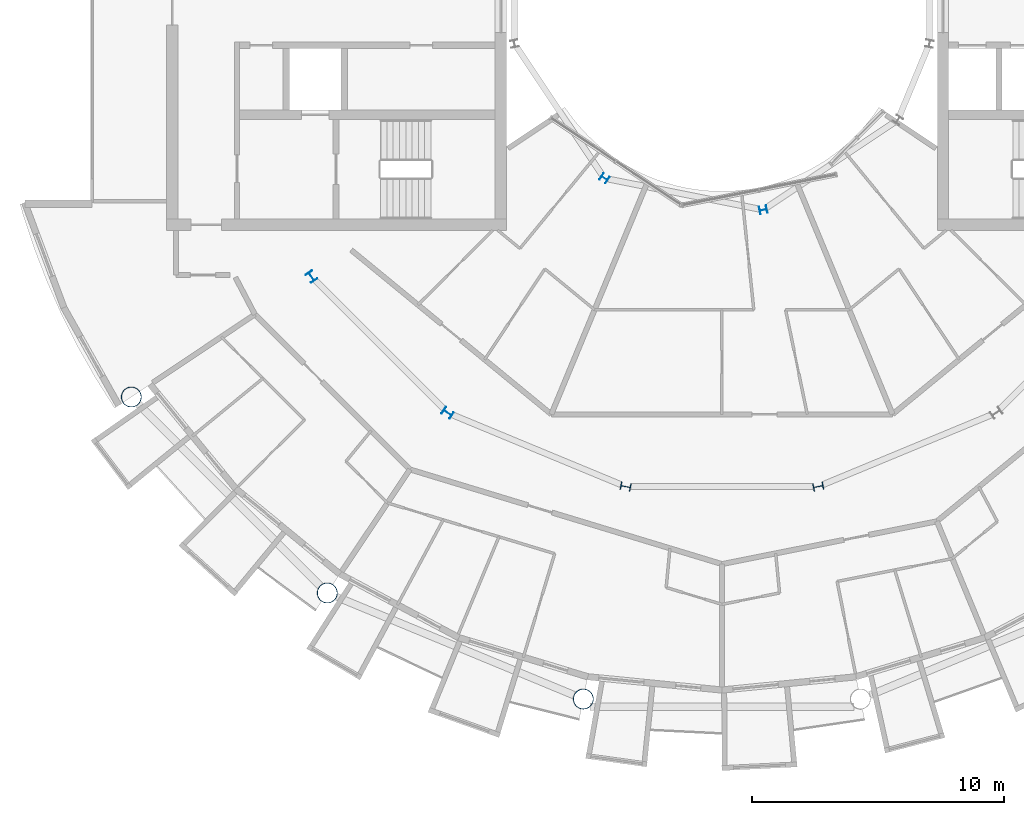
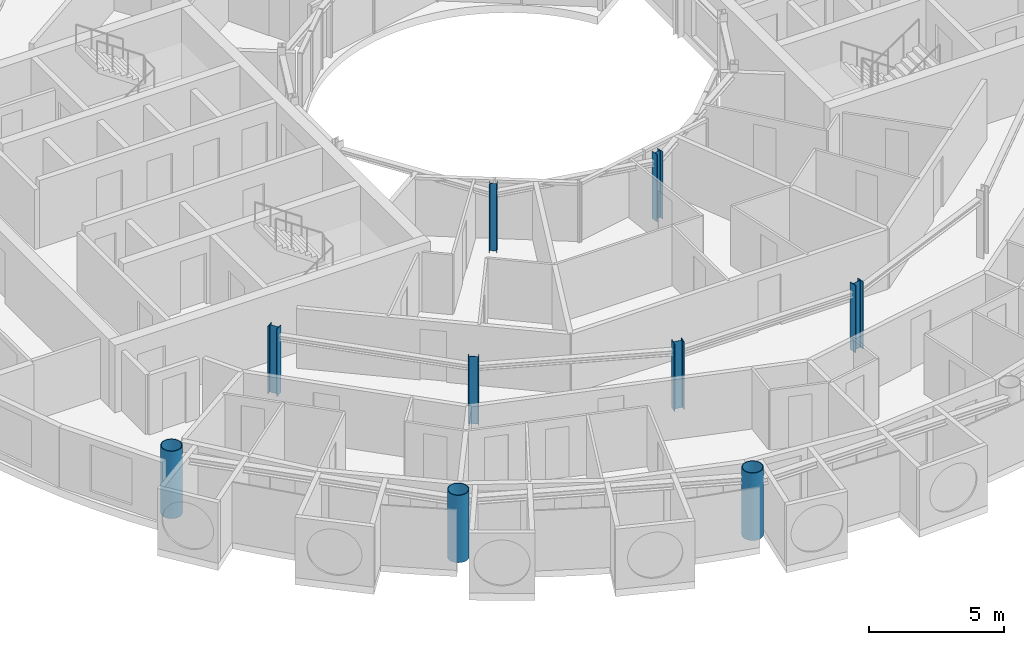
# One storey, part 1 of 27: 9 columns.
"""IFC4 building model written with IfcOpenShell, lengths in metres."""

from ifc_helpers import new_model, si_unit, direction, frame, origin, origin_2d, place, context, subcontext, project, spatial, hollow_circle, i_section, extrude, material, material_profile, profile_set, type_object, element, save


model = new_model("IFC4")

# Units and contexts
model_context = context("Model", 3, precision=1e-05, world=origin(), true_north=direction((0.0, 1.0)))
body_context = subcontext(model_context, "Body", "Model", "MODEL_VIEW")
ifc_project = project(units=[si_unit("LENGTHUNIT", "METRE"), si_unit("AREAUNIT", "SQUARE_METRE"), si_unit("VOLUMEUNIT", "CUBIC_METRE"), si_unit("PLANEANGLEUNIT", "RADIAN"), si_unit("MASSUNIT", "GRAM", prefix="KILO")], contexts=[model_context])

# Site, building, storey
site_placement = place(None, origin())
site = spatial("IfcSite", under=ifc_project, at=site_placement, CompositionType="ELEMENT")
building_placement = place(site_placement, origin())
building = spatial("IfcBuilding", under=site, at=building_placement, Name="Maasbend Ring Residences", CompositionType="ELEMENT")
storey_placement = place(building_placement, frame((0.0, 0.0, 199.35009765625)))
storey = spatial("IfcBuildingStorey", under=building, at=storey_placement, Name="L57", CompositionType="ELEMENT", Elevation=199.35009765625)

# Columns
ifc_material_1 = material(Name="Composite concrete-filled steel tube S460NH / C80/95", Category="concrete")
ifc_material_profile_1 = material_profile(ifc_material_1, hollow_circle(Radius=0.406494140625, WallThickness=0.030029296875, at=origin_2d()), Name="Composite tube column CHS 813x30")
ifc_profile_set_1 = profile_set([ifc_material_profile_1], Name="Composite concrete-filled steel tube S460NH / C80/95")
column_type_1 = type_object("IfcColumnType", Name="Composite tube column CHS 813x30", PredefinedType="COLUMN", material=ifc_profile_set_1)
for number, where, z_axis, x_axis, name in (
    (1, (-23.447509765625, -15.6669921875, 0.0), (0.0, 0.0, 1.0), (1.0, 0.0, 0.0), "Outer column R10"),
    (2, (-15.6669921875, -23.447509765625, 0.0), (0.0, 0.0, 1.0), (1.0, 0.0, 0.0), "Outer column R11"),
    (3, (-5.50146484375, -27.658203125, 0.0), (0.0, 0.0, 1.0), (1.0, 0.0, 0.0), "Outer column R12"),
):
    element("IfcColumn", number, at=place(storey_placement, frame(where, z_axis=z_axis, x_axis=x_axis)), inside=storey, type_object=column_type_1, Name=name, PredefinedType="COLUMN", context=body_context, shape_type="SweptSolid", body=[
        extrude(hollow_circle(Radius=0.406494140625, WallThickness=0.030029296875, at=origin_2d()), origin(), (0.0, 0.0, 1.0), 3.0498046875),
    ])
ifc_material_2 = material(Name="Steel S355J2", Category="steel")
ifc_material_profile_2 = material_profile(ifc_material_2, i_section(OverallWidth=0.300048828125, OverallDepth=0.2900390625, WebThickness=0.008544921875, FlangeThickness=0.013916015625, FilletRadius=0.027099609375, at=origin_2d()), Name="HEA 300")
ifc_profile_set_2 = profile_set([ifc_material_profile_2], Name="Steel S355J2")
column_type_2 = type_object("IfcColumnType", Name="Steel column HEA 300", PredefinedType="COLUMN", material=ifc_profile_set_2)
for number, where, z_axis, x_axis, name in (
    (4, (-4.666748046875, -6.984375, 0.0), (0.0, 0.0, 1.0), (-0.55557023302, -0.831469612303, 0.0), "Well ring column R11"),
    (5, (1.638916015625, -8.238525390625, 0.0), (0.0, 0.0, 1.0), (0.195090322016, -0.980785280403, 0.0), "Well ring column R13"),
):
    element("IfcColumn", number, at=place(storey_placement, frame(where, z_axis=z_axis, x_axis=x_axis)), inside=storey, type_object=column_type_2, Name=name, PredefinedType="COLUMN", context=body_context, shape_type="SweptSolid", body=[
        extrude(i_section(OverallWidth=0.300048828125, OverallDepth=0.2900390625, WebThickness=0.008544921875, FlangeThickness=0.013916015625, FilletRadius=0.027099609375, at=origin_2d()), origin(), (0.0, 0.0, 1.0), 3.0498046875),
    ])
ifc_material_3 = material(Name="Steel S355J2", Category="steel")
ifc_material_profile_3 = material_profile(ifc_material_3, i_section(OverallWidth=0.300048828125, OverallDepth=0.39990234375, WebThickness=0.013427734375, FlangeThickness=0.02392578125, FilletRadius=0.027099609375, at=origin_2d()), Name="HEB 400")
ifc_profile_set_3 = profile_set([ifc_material_profile_3], Name="Steel S355J2")
column_type_3 = type_object("IfcColumnType", Name="Steel column HEB 400", PredefinedType="COLUMN", material=ifc_profile_set_3)
for number, where, z_axis, x_axis, name in (
    (6, (-16.296875, -10.88916015625, 0.0), (0.0, 0.0, 1.0), (-0.831469612303, -0.55557023302, 0.0), "Corridor ring column R10"),
    (7, (-10.88916015625, -16.296875, 0.0), (0.0, 0.0, 1.0), (-0.55557023302, -0.831469612303, 0.0), "Corridor ring column R11"),
    (8, (-3.82373046875, -19.223388671875, 0.0), (0.0, 0.0, 1.0), (-0.195090322016, -0.980785280403, 0.0), "Corridor ring column R12"),
    (9, (3.82373046875, -19.223388671875, 0.0), (0.0, 0.0, 1.0), (0.195090322016, -0.980785280403, 0.0), "Corridor ring column R13"),
):
    element("IfcColumn", number, at=place(storey_placement, frame(where, z_axis=z_axis, x_axis=x_axis)), inside=storey, type_object=column_type_3, Name=name, PredefinedType="COLUMN", context=body_context, shape_type="SweptSolid", body=[
        extrude(i_section(OverallWidth=0.300048828125, OverallDepth=0.39990234375, WebThickness=0.013427734375, FlangeThickness=0.02392578125, FilletRadius=0.027099609375, at=origin_2d()), origin(), (0.0, 0.0, 1.0), 3.0498046875),
    ])

save(model, "model.ifc")
